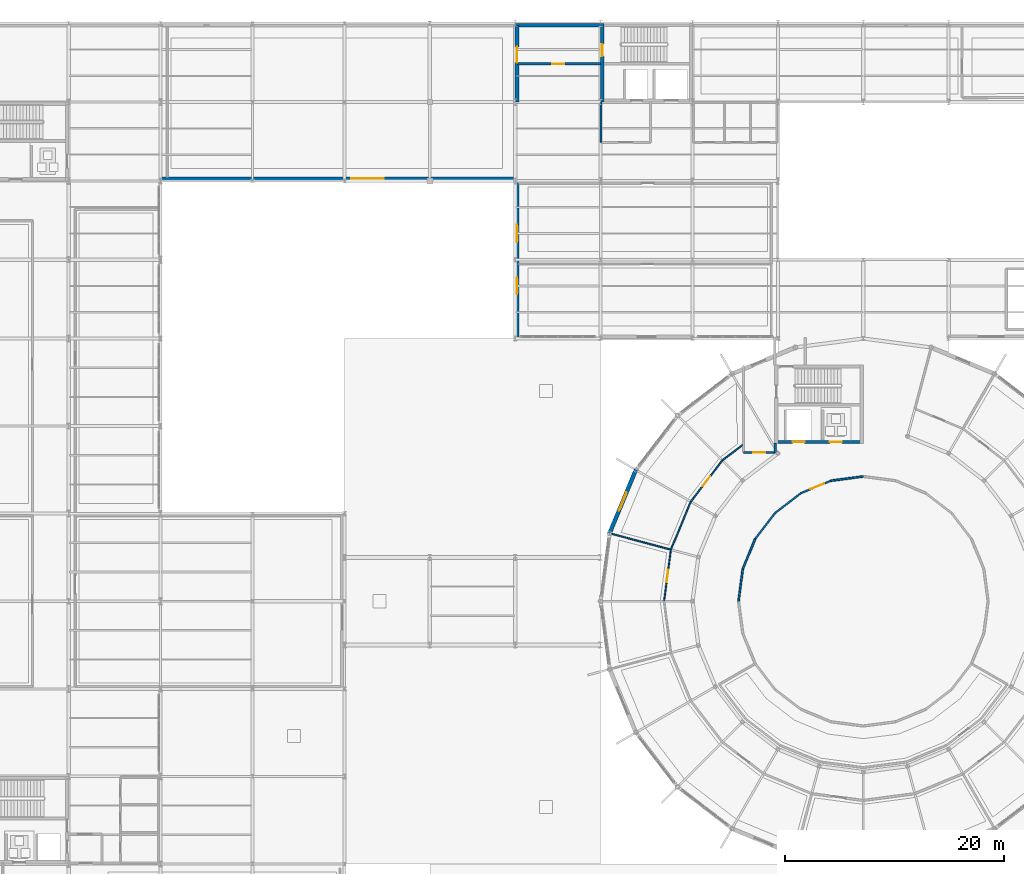
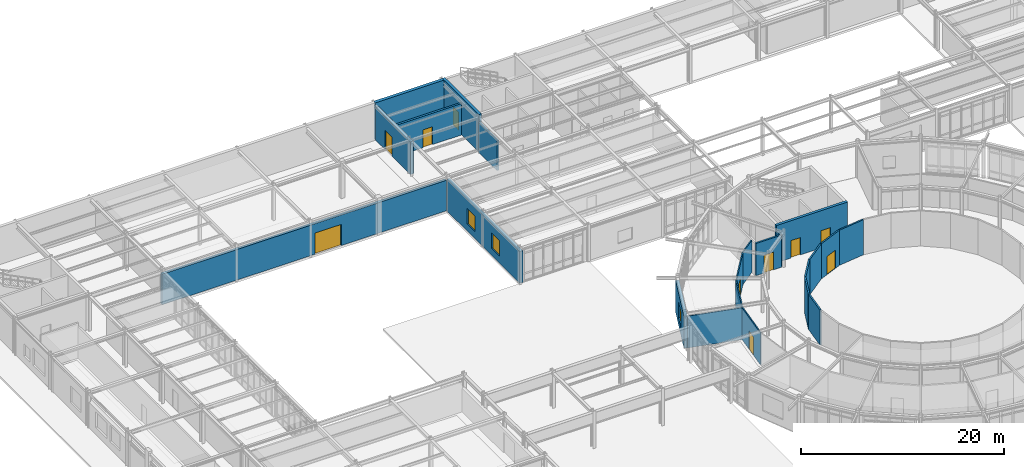
# One storey, part 84 of 101: 22 walls, 10 doors, 3 windows, 13 openings.
"""IFC4 building model written with IfcOpenShell, lengths in metres."""

from ifc_helpers import new_model, si_unit, derived_unit, direction, frame, frame_2d, origin, place, context, subcontext, project, spatial, rectangle, extrude, material, layer, layer_set, type_object, element, fill, save


model = new_model("IFC4")

# Units and contexts
model_context = context("Model", 3, precision=1e-05, world=origin(), true_north=direction((0.0, 1.0)))
body_context = subcontext(model_context, "Body", "Model", "MODEL_VIEW")
ifc_project = project(units=[si_unit("LENGTHUNIT", "METRE"), si_unit("AREAUNIT", "SQUARE_METRE"), si_unit("VOLUMEUNIT", "CUBIC_METRE"), si_unit("PLANEANGLEUNIT", "RADIAN"), si_unit("MASSUNIT", "GRAM", prefix="KILO"), derived_unit("THERMALTRANSMITTANCEUNIT", [(si_unit("POWERUNIT", "WATT"), 1), (si_unit("AREAUNIT", "SQUARE_METRE"), -1), (si_unit("THERMODYNAMICTEMPERATUREUNIT", "KELVIN"), -1)])], contexts=[model_context])

# Site, building, storey
site_placement = place(None, origin())
site = spatial("IfcSite", under=ifc_project, at=site_placement, CompositionType="ELEMENT")
building_placement = place(site_placement, origin())
building = spatial("IfcBuilding", under=site, at=building_placement, Name="Yasenodar Specialist Clinic", CompositionType="ELEMENT")
storey_placement = place(building_placement, origin())
storey = spatial("IfcBuildingStorey", under=building, at=storey_placement, Name="L00", CompositionType="ELEMENT", Elevation=0.0)

# Wall, opening, window
ifc_material_1 = material(Name="Drum Insulated Terracotta Chord Wall", Category="masonry")
ifc_layer_1 = layer(ifc_material_1, 0.364990234375)
ifc_layer_set_1 = layer_set([ifc_layer_1], Name="Drum Insulated Terracotta Chord Wall")
wall_type_1 = type_object("IfcWallType", Name="EW-DRUM-365", PredefinedType="SOLIDWALL", material=ifc_layer_set_1)
wall_1_placement = place(storey_placement, frame((57.81787109375, 65.01171875, 0.0), z_axis=(0.0, 0.0, 1.0), x_axis=(0.382663829839, 0.9238876519, 0.0)))
wall_1 = element("IfcWall", 1, at=wall_1_placement, inside=storey, type_object=wall_type_1, Name="L00 Exterior Facade Wall 0004", PredefinedType="SOLIDWALL", context=body_context, shape_type="SweptSolid", body=[
    extrude(rectangle(XDim=6.26513671875, YDim=0.364990234375, at=frame_2d((3.132568359375, 0.0))), origin(), (0.0, 0.0, 1.0), 3.837890625),
])
opening_1_placement = place(wall_1_placement, frame((2.232666015625, 0.0, 0.85009765625)))
opening_1 = element("IfcOpeningElement", 2, at=opening_1_placement, cuts=wall_1, Name="Opening W-05", PredefinedType="OPENING", context=body_context, shape_type="SweptSolid", body=[
    extrude(rectangle(XDim=1.800048828125, YDim=1.949951171875, at=frame_2d((0.89990234375, 0.97509765625))), frame((0.0, 0.1923828125, 0.0), z_axis=(0.0, -1.0, 0.0), x_axis=(1.0, 0.0, 0.0)), (0.0, 0.0, 1.0), 0.385009765625),
])
ifc_material_2 = material(Name="Triple Low-E Argon Glazing in Bronze Aluminium Frame", Category="aluminium")
window_type_1 = type_object("IfcWindowType", Name="WIN-EXT-05", PartitioningType="SINGLE_PANEL", PredefinedType="WINDOW", material=ifc_material_2)
window_1_placement = place(opening_1_placement, origin())
window_1 = element("IfcWindow", 3, at=window_1_placement, inside=storey, type_object=window_type_1, Name="L00 Triple-Glazed Reveal Window 0003", OverallHeight=1.949951171875, OverallWidth=1.800048828125, PartitioningType="SINGLE_PANEL", PredefinedType="WINDOW", context=body_context, shape_type="SweptSolid", body=[
    extrude(rectangle(XDim=1.800048828125, YDim=1.949951171875, at=frame_2d((0.89990234375, 0.97509765625))), frame((0.0, 0.030029296875, 0.0), z_axis=(0.0, -1.0, 0.0), x_axis=(1.0, 0.0, 0.0)), (0.0, 0.0, 1.0), 0.06005859375),
])
fill(opening_1, window_1)

# Wall, opening, door
ifc_material_3 = material(Name="Fluted Terracotta Spandrel Wall", Category="masonry")
ifc_layer_2 = layer(ifc_material_3, 0.31494140625)
ifc_layer_set_2 = layer_set([ifc_layer_2], Name="Fluted Terracotta Spandrel Wall")
wall_type_2 = type_object("IfcWallType", Name="EW-TERR-315", PredefinedType="SOLIDWALL", material=ifc_layer_set_2)
wall_2_placement = place(storey_placement, frame((49.199951171875, 97.39990234375, 0.0), z_axis=(0.0, 0.0, 1.0), x_axis=(-1.0, 0.0, 0.0)))
wall_2 = element("IfcWall", 4, at=wall_2_placement, inside=storey, type_object=wall_type_2, Name="L00 Exterior Facade Wall 0089", PredefinedType="SOLIDWALL", context=body_context, shape_type="SweptSolid", body=[
    extrude(rectangle(XDim=32.39990234375, YDim=0.31494140625, at=frame_2d((16.199951171875, 0.0))), origin(), (0.0, 0.0, 1.0), 3.677978515625),
])
opening_2_placement = place(wall_2_placement, frame((12.0, 0.0, 0.0)))
opening_2 = element("IfcOpeningElement", 5, at=opening_2_placement, cuts=wall_2, Name="Opening GT-02", PredefinedType="OPENING", context=body_context, shape_type="SweptSolid", body=[
    extrude(rectangle(XDim=3.0, YDim=2.550048828125, at=frame_2d((1.5, 1.27490234375))), frame((0.0, 0.16748046875, 0.0), z_axis=(0.0, -1.0, 0.0), x_axis=(1.0, 0.0, 0.0)), (0.0, 0.0, 1.0), 0.3349609375),
])
ifc_material_4 = material(Name="Thermally Broken Bronze Anodized Aluminium and Laminated Glass", Category="aluminium")
door_type_1 = type_object("IfcDoorType", Name="GT-SERV-300", OperationType="DOUBLE_DOOR_SINGLE_SWING", PredefinedType="GATE", material=ifc_material_4)
door_1_placement = place(opening_2_placement, origin())
door_1 = element("IfcDoor", 6, at=door_1_placement, inside=storey, type_object=door_type_1, Name="L00 Forecourt Courtyard Access Gate GT-02", OperationType="DOUBLE_DOOR_SINGLE_SWING", OverallHeight=2.550048828125, OverallWidth=3.0, PredefinedType="GATE", context=body_context, shape_type="SweptSolid", body=[
    extrude(rectangle(XDim=3.0, YDim=2.550048828125, at=frame_2d((1.5, 1.27490234375))), frame((0.0, 0.02490234375, 0.0), z_axis=(0.0, -1.0, 0.0), x_axis=(1.0, 0.0, 0.0)), (0.0, 0.0, 1.0), 0.050048828125),
])
fill(opening_2, door_1)

# Wall, openings, windows
ifc_material_5 = material(Name="Buff Architectural Terracotta Rainscreen", Category="masonry")
ifc_layer_3 = layer(ifc_material_5, 0.340087890625)
ifc_layer_set_3 = layer_set([ifc_layer_3], Name="Buff Architectural Terracotta Rainscreen")
wall_type_3 = type_object("IfcWallType", Name="EW-TERR-340", PredefinedType="SOLIDWALL", material=ifc_layer_set_3)
wall_3_placement = place(storey_placement, frame((49.3701171875, 82.800048828125, 0.0), z_axis=(0.0, 0.0, 1.0), x_axis=(0.0, 1.0, 0.0)))
wall_3 = element("IfcWall", 7, at=wall_3_placement, inside=storey, type_object=wall_type_3, Name="L00 Exterior Facade Wall 0156", PredefinedType="SOLIDWALL", context=body_context, shape_type="SweptSolid", body=[
    extrude(rectangle(XDim=14.39990234375, YDim=0.340087890625, at=frame_2d((7.199951171875, 0.0))), origin(), (0.0, 0.0, 1.0), 3.827880859375),
])
opening_3_placement = place(wall_3_placement, frame((4.050048828125, 0.0, 0.85009765625)))
opening_3 = element("IfcOpeningElement", 8, at=opening_3_placement, cuts=wall_3, Name="Opening W-03", PredefinedType="OPENING", context=body_context, shape_type="SweptSolid", body=[
    extrude(rectangle(XDim=1.5, YDim=1.85009765625, at=frame_2d((0.75, 0.925048828125))), frame((0.0, 0.18017578125, 0.0), z_axis=(0.0, -1.0, 0.0), x_axis=(1.0, 0.0, 0.0)), (0.0, 0.0, 1.0), 0.360107421875),
])
opening_4_placement = place(wall_3_placement, frame((8.800048828125, 0.0, 0.85009765625)))
opening_4 = element("IfcOpeningElement", 9, at=opening_4_placement, cuts=wall_3, Name="Opening W-04", PredefinedType="OPENING", context=body_context, shape_type="SweptSolid", body=[
    extrude(rectangle(XDim=1.60009765625, YDim=1.89990234375, at=frame_2d((0.800048828125, 0.949951171875))), frame((0.0, 0.18017578125, 0.0), z_axis=(0.0, -1.0, 0.0), x_axis=(1.0, 0.0, 0.0)), (0.0, 0.0, 1.0), 0.360107421875),
])
window_type_2 = type_object("IfcWindowType", Name="WIN-EXT-03", PartitioningType="SINGLE_PANEL", PredefinedType="WINDOW", material=ifc_material_2)
window_2_placement = place(opening_3_placement, origin())
window_2 = element("IfcWindow", 10, at=window_2_placement, inside=storey, type_object=window_type_2, Name="L00 Triple-Glazed Reveal Window 0170", OverallHeight=1.85009765625, OverallWidth=1.5, PartitioningType="SINGLE_PANEL", PredefinedType="WINDOW", context=body_context, shape_type="SweptSolid", body=[
    extrude(rectangle(XDim=1.5, YDim=1.85009765625, at=frame_2d((0.75, 0.925048828125))), frame((0.0, 0.030029296875, 0.0), z_axis=(0.0, -1.0, 0.0), x_axis=(1.0, 0.0, 0.0)), (0.0, 0.0, 1.0), 0.06005859375),
])
fill(opening_3, window_2)
window_type_3 = type_object("IfcWindowType", Name="WIN-EXT-04", PartitioningType="SINGLE_PANEL", PredefinedType="WINDOW", material=ifc_material_2)
window_3_placement = place(opening_4_placement, origin())
window_3 = element("IfcWindow", 11, at=window_3_placement, inside=storey, type_object=window_type_3, Name="L00 Triple-Glazed Reveal Window 0171", OverallHeight=1.89990234375, OverallWidth=1.60009765625, PartitioningType="SINGLE_PANEL", PredefinedType="WINDOW", context=body_context, shape_type="SweptSolid", body=[
    extrude(rectangle(XDim=1.60009765625, YDim=1.89990234375, at=frame_2d((0.800048828125, 0.949951171875))), frame((0.0, 0.030029296875, 0.0), z_axis=(0.0, -1.0, 0.0), x_axis=(1.0, 0.0, 0.0)), (0.0, 0.0, 1.0), 0.06005859375),
])
fill(opening_4, window_3)

# Wall, opening, door
wall_4_placement = place(storey_placement, frame((49.3701171875, 104.39990234375, 0.0), z_axis=(0.0, 0.0, 1.0), x_axis=(0.0, 1.0, 0.0)))
wall_4 = element("IfcWall", 12, at=wall_4_placement, inside=storey, type_object=wall_type_3, Name="L00 Exterior Facade Wall 0157", PredefinedType="SOLIDWALL", context=body_context, shape_type="SweptSolid", body=[
    extrude(rectangle(XDim=7.0, YDim=0.340087890625, at=frame_2d((3.5, 0.0))), origin(), (0.0, 0.0, 1.0), 3.927978515625),
])
opening_5_placement = place(wall_4_placement, frame((3.60009765625, 0.0, 0.0)))
opening_5 = element("IfcOpeningElement", 13, at=opening_5_placement, cuts=wall_4, Name="Opening EX-02", PredefinedType="OPENING", context=body_context, shape_type="SweptSolid", body=[
    extrude(rectangle(XDim=1.449951171875, YDim=2.300048828125, at=frame_2d((0.72509765625, 1.14990234375))), frame((0.0, 0.18017578125, 0.0), z_axis=(0.0, -1.0, 0.0), x_axis=(1.0, 0.0, 0.0)), (0.0, 0.0, 1.0), 0.360107421875),
])
door_type_2 = type_object("IfcDoorType", Name="DR-EX-145", OperationType="NOTDEFINED", PredefinedType="DOOR", material=ifc_material_4)
door_2_placement = place(opening_5_placement, origin())
door_2 = element("IfcDoor", 14, at=door_2_placement, inside=storey, type_object=door_type_2, Name="L00 Stair ST-04 Protected Passage Final Exit EX-04", OperationType="SINGLE_SWING_LEFT", OverallHeight=2.300048828125, OverallWidth=1.449951171875, PredefinedType="DOOR", context=body_context, shape_type="SweptSolid", body=[
    extrude(rectangle(XDim=1.449951171875, YDim=2.300048828125, at=frame_2d((0.72509765625, 1.14990234375))), frame((0.0, 0.02490234375, 0.0), z_axis=(0.0, -1.0, 0.0), x_axis=(1.0, 0.0, 0.0)), (0.0, 0.0, 1.0), 0.050048828125),
])
fill(opening_5, door_2)

ifc_material_6 = material(Name="Cleanroom Laboratory Partition")
ifc_layer_4 = layer(ifc_material_6, 0.169921875)
ifc_layer_set_4 = layer_set([ifc_layer_4], Name="Cleanroom Laboratory Partition")
wall_type_4 = type_object("IfcWallType", Name="IW-LAB-170", PredefinedType="PARTITIONING", material=ifc_layer_set_4)
wall_5_placement = place(storey_placement, frame((75.300048828125, 68.672607421875, 0.0), z_axis=(0.0, 0.0, 1.0), x_axis=(0.923875853046, 0.38269231526, 0.0)))
wall_5 = element("IfcWall", 15, at=wall_5_placement, inside=storey, type_object=wall_type_4, Name="L00 Central Drum Treatment Reception Hall Partition", PredefinedType="PARTITIONING", context=body_context, shape_type="SweptSolid", body=[
    extrude(rectangle(XDim=2.97607421875, YDim=0.169921875, at=frame_2d((1.488037109375, 0.0))), origin(), (0.0, 0.0, 1.0), 4.22998046875),
])
opening_6_placement = place(wall_5_placement, frame((0.93798828125, 0.0, 0.0)))
opening_6 = element("IfcOpeningElement", 16, at=opening_6_placement, cuts=wall_5, Name="Opening D-11", PredefinedType="OPENING", context=body_context, shape_type="SweptSolid", body=[
    extrude(rectangle(XDim=1.360107421875, YDim=2.199951171875, at=frame_2d((0.68017578125, 1.10009765625))), frame((0.0, 0.094970703125, 0.0), z_axis=(0.0, -1.0, 0.0), x_axis=(1.0, 0.0, 0.0)), (0.0, 0.0, 1.0), 0.18994140625),
])
ifc_material_7 = material(Name="Powder-Coated Steel and Acoustic Laminate Leaf", Category="steel")
door_type_3 = type_object("IfcDoorType", Name="DR-PLT-136", OperationType="NOTDEFINED", PredefinedType="DOOR", material=ifc_material_7)
door_3_placement = place(opening_6_placement, origin())
door_3 = element("IfcDoor", 17, at=door_3_placement, inside=storey, type_object=door_type_3, Name="L00 Central Drum Treatment Reception Hall Door", OperationType="SINGLE_SWING_RIGHT", OverallHeight=2.199951171875, OverallWidth=1.360107421875, PredefinedType="DOOR", context=body_context, shape_type="SweptSolid", body=[
    extrude(rectangle(XDim=1.360107421875, YDim=2.199951171875, at=frame_2d((0.68017578125, 1.10009765625))), frame((0.0, 0.02490234375, 0.0), z_axis=(0.0, -1.0, 0.0), x_axis=(1.0, 0.0, 0.0)), (0.0, 0.0, 1.0), 0.050048828125),
])
fill(opening_6, door_3)

# Walls
wall_6_placement = place(storey_placement, frame((78.049560546875, 69.8115234375, 0.0), z_axis=(0.0, 0.0, 1.0), x_axis=(0.991445078306, 0.130524544442, 0.0)))
element("IfcWall", 18, at=wall_6_placement, inside=storey, type_object=wall_type_4, Name="L00 Central Drum Treatment Reception Hall Partition", PredefinedType="PARTITIONING", context=body_context, shape_type="SweptSolid", body=[
    extrude(rectangle(XDim=2.975830078125, YDim=0.169921875, at=frame_2d((1.48779296875, 0.0))), origin(), (0.0, 0.0, 1.0), 4.22998046875),
])
for number, where, z_axis, x_axis, name in (
    (19, (71.127197265625, 64.5, 0.0), (0.0, 0.0, 1.0), (0.608770758953, 0.793346181086, 0.0), "L00 Central Drum Treatment Reception Hall Partition"),
    (20, (72.93896484375, 66.861083984375, 0.0), (0.0, 0.0, 1.0), (0.793385800782, 0.608719123338, 0.0), "L00 Central Drum Treatment Reception Hall Partition"),
    (21, (69.98828125, 61.75048828125, 0.0), (0.0, 0.0, 1.0), (0.38269231526, 0.923875853046, 0.0), "L00 Central Drum Treatment Reception Hall Partition"),
):
    element("IfcWall", number, at=place(storey_placement, frame(where, z_axis=z_axis, x_axis=x_axis)), inside=storey, type_object=wall_type_4, Name=name, PredefinedType="PARTITIONING", context=body_context, shape_type="SweptSolid", body=[
        extrude(rectangle(XDim=2.97607421875, YDim=0.169921875, at=frame_2d((1.488037109375, 0.0))), origin(), (0.0, 0.0, 1.0), 4.22998046875),
    ])
wall_7_placement = place(storey_placement, frame((69.60009765625, 58.800048828125, 0.0), z_axis=(0.0, 0.0, 1.0), x_axis=(0.130443901511, 0.991455691677, 0.0)))
element("IfcWall", 22, at=wall_7_placement, inside=storey, type_object=wall_type_4, Name="L00 Central Drum Treatment Reception Hall Partition", PredefinedType="PARTITIONING", context=body_context, shape_type="SweptSolid", body=[
    extrude(rectangle(XDim=2.975830078125, YDim=0.169921875, at=frame_2d((1.48779296875, 0.0))), origin(), (0.0, 0.0, 1.0), 4.22998046875),
])
ifc_material_8 = material(Name="Fire-Rated Gypsum and Mineral-Wool Wall")
ifc_layer_5 = layer(ifc_material_8, 0.195068359375)
ifc_layer_set_5 = layer_set([ifc_layer_5], Name="Fire-Rated Gypsum and Mineral-Wool Wall")
wall_type_5 = type_object("IfcWallType", Name="IW-LOBBY-195", PredefinedType="PARTITIONING", material=ifc_layer_set_5)
wall_8_placement = place(storey_placement, frame((57.050048828125, 100.699951171875, 0.0), z_axis=(0.0, 0.0, 1.0), x_axis=(0.0, 1.0, 0.0)))
element("IfcWall", 23, at=wall_8_placement, inside=storey, type_object=wall_type_5, Name="L00 C4 Firefighting Lobby West Wall", PredefinedType="PARTITIONING", context=body_context, shape_type="SweptSolid", body=[
    extrude(rectangle(XDim=3.699951171875, YDim=0.195068359375, at=frame_2d((1.85009765625, 0.0))), origin(), (0.0, 0.0, 1.0), 3.6279296875),
])

# Wall, opening, door
wall_9_placement = place(storey_placement, frame((70.050048828125, 72.39990234375, 0.0), z_axis=(0.0, 0.0, 1.0), x_axis=(1.0, 0.0, 0.0)))
wall_9 = element("IfcWall", 24, at=wall_9_placement, inside=storey, type_object=wall_type_5, Name="L00 C3 Stair Vestibule South Wall", PredefinedType="PARTITIONING", context=body_context, shape_type="SweptSolid", body=[
    extrude(rectangle(XDim=2.89990234375, YDim=0.195068359375, at=frame_2d((1.449951171875, 0.0))), origin(), (0.0, 0.0, 1.0), 3.867919921875),
])
opening_7_placement = place(wall_9_placement, frame((0.89990234375, 0.0, 0.0)))
opening_7 = element("IfcOpeningElement", 25, at=opening_7_placement, cuts=wall_9, Name="Opening FD-01", PredefinedType="OPENING", context=body_context, shape_type="SweptSolid", body=[
    extrude(rectangle(XDim=1.10009765625, YDim=2.14990234375, at=frame_2d((0.550048828125, 1.074951171875))), frame((0.0, 0.107421875, 0.0), z_axis=(0.0, -1.0, 0.0), x_axis=(1.0, 0.0, 0.0)), (0.0, 0.0, 1.0), 0.215087890625),
])
ifc_material_9 = material(Name="Fire-Rated Insulated Steel Door", Category="steel")
door_type_4 = type_object("IfcDoorType", Name="DR-FD-110", OperationType="NOTDEFINED", PredefinedType="DOOR", material=ifc_material_9)
door_4_placement = place(opening_7_placement, origin())
door_4 = element("IfcDoor", 26, at=door_4_placement, inside=storey, type_object=door_type_4, Name="L00 Stair ST-03 Ring Corridor Vestibule Door", OperationType="SINGLE_SWING_RIGHT", OverallHeight=2.14990234375, OverallWidth=1.10009765625, PredefinedType="DOOR", context=body_context, shape_type="SweptSolid", body=[
    extrude(rectangle(XDim=1.10009765625, YDim=2.14990234375, at=frame_2d((0.550048828125, 1.074951171875))), frame((0.0, 0.02490234375, 0.0), z_axis=(0.0, -1.0, 0.0), x_axis=(1.0, 0.0, 0.0)), (0.0, 0.0, 1.0), 0.050048828125),
])
fill(opening_7, door_4)

# Wall
wall_10_placement = place(storey_placement, frame((72.949951171875, 72.39990234375, 0.0), z_axis=(0.0, 0.0, 1.0), x_axis=(0.0, 1.0, 0.0)))
element("IfcWall", 27, at=wall_10_placement, inside=storey, type_object=wall_type_5, Name="L00 C3 Stair Vestibule Corner Return Wall", PredefinedType="PARTITIONING", context=body_context, shape_type="SweptSolid", body=[
    extrude(rectangle(XDim=0.85009765625, YDim=0.195068359375, at=frame_2d((0.425048828125, 0.0))), origin(), (0.0, 0.0, 1.0), 3.867919921875),
])

# Wall, opening, door
ifc_material_10 = material(Name="Lightweight Counseling Partition")
ifc_layer_6 = layer(ifc_material_10, 0.114990234375)
ifc_layer_set_6 = layer_set([ifc_layer_6], Name="Lightweight Counseling Partition")
wall_type_6 = type_object("IfcWallType", Name="IW-PART-115", PredefinedType="PARTITIONING", material=ifc_layer_set_6)
wall_11_placement = place(storey_placement, frame((63.41748046875, 63.490478515625, 0.0), z_axis=(0.0, 0.0, 1.0), x_axis=(-0.130510579448, -0.991446916709, 0.0)))
wall_11 = element("IfcWall", 28, at=wall_11_placement, inside=storey, type_object=wall_type_6, Name="L00 Drum Patient Waiting Lounge Partition", PredefinedType="PARTITIONING", context=body_context, shape_type="SweptSolid", body=[
    extrude(rectangle(XDim=4.73095703125, YDim=0.114990234375, at=frame_2d((2.365478515625, 0.0))), origin(), (0.0, 0.0, 1.0), 3.867919921875),
])
opening_8_placement = place(wall_11_placement, frame((1.8154296875, 0.0, 0.0)))
opening_8 = element("IfcOpeningElement", 29, at=opening_8_placement, cuts=wall_11, Name="Opening D-06", PredefinedType="OPENING", context=body_context, shape_type="SweptSolid", body=[
    extrude(rectangle(XDim=1.179931640625, YDim=2.199951171875, at=frame_2d((0.58984375, 1.10009765625))), frame((0.0, 0.0673828125, 0.0), z_axis=(0.0, -1.0, 0.0), x_axis=(1.0, 0.0, 0.0)), (0.0, 0.0, 1.0), 0.135009765625),
])
door_type_5 = type_object("IfcDoorType", Name="DR-CLN-118", OperationType="NOTDEFINED", PredefinedType="DOOR", material=ifc_material_7)
door_5_placement = place(opening_8_placement, origin())
door_5 = element("IfcDoor", 30, at=door_5_placement, inside=storey, type_object=door_type_5, Name="L00 Drum Patient Waiting Lounge Door", OperationType="SINGLE_SWING_RIGHT", OverallHeight=2.199951171875, OverallWidth=1.179931640625, PredefinedType="DOOR", context=body_context, shape_type="SweptSolid", body=[
    extrude(rectangle(XDim=1.179931640625, YDim=2.199951171875, at=frame_2d((0.58984375, 1.10009765625))), frame((0.0, 0.02490234375, 0.0), z_axis=(0.0, -1.0, 0.0), x_axis=(1.0, 0.0, 0.0)), (0.0, 0.0, 1.0), 0.050048828125),
])
fill(opening_8, door_5)

ifc_material_11 = material(Name="Clinical Sub-Division Partition")
ifc_layer_7 = layer(ifc_material_11, 0.125)
ifc_layer_set_7 = layer_set([ifc_layer_7], Name="Clinical Sub-Division Partition")
wall_type_7 = type_object("IfcWallType", Name="IW-PART-125", PredefinedType="PARTITIONING", material=ifc_layer_set_7)
wall_12_placement = place(storey_placement, frame((68.130615234375, 71.669189453125, 0.0), z_axis=(0.0, 0.0, 1.0), x_axis=(-0.608769147025, -0.793347417989, 0.0)))
wall_12 = element("IfcWall", 31, at=wall_12_placement, inside=storey, type_object=wall_type_7, Name="L00 Ambulatory Dialysis Treatment Suite A Partition", PredefinedType="PARTITIONING", context=body_context, shape_type="SweptSolid", body=[
    extrude(rectangle(XDim=4.751220703125, YDim=0.125, at=frame_2d((2.37548828125, 0.0))), origin(), (0.0, 0.0, 1.0), 3.867919921875),
])
opening_9_placement = place(wall_12_placement, frame((1.82568359375, 0.0, 0.0)))
opening_9 = element("IfcOpeningElement", 32, at=opening_9_placement, cuts=wall_12, Name="Opening D-05", PredefinedType="OPENING", context=body_context, shape_type="SweptSolid", body=[
    extrude(rectangle(XDim=1.1201171875, YDim=2.179931640625, at=frame_2d((0.56005859375, 1.08984375))), frame((0.0, 0.072509765625, 0.0), z_axis=(0.0, -1.0, 0.0), x_axis=(1.0, 0.0, 0.0)), (0.0, 0.0, 1.0), 0.14501953125),
])
door_type_6 = type_object("IfcDoorType", Name="DR-CLN-112", OperationType="NOTDEFINED", PredefinedType="DOOR", material=ifc_material_7)
door_6_placement = place(opening_9_placement, origin())
door_6 = element("IfcDoor", 33, at=door_6_placement, inside=storey, type_object=door_type_6, Name="L00 Ambulatory Dialysis Treatment Suite A Door", OperationType="SINGLE_SWING_LEFT", OverallHeight=2.179931640625, OverallWidth=1.1201171875, PredefinedType="DOOR", context=body_context, shape_type="SweptSolid", body=[
    extrude(rectangle(XDim=1.1201171875, YDim=2.179931640625, at=frame_2d((0.56005859375, 1.08984375))), frame((0.0, 0.02490234375, 0.0), z_axis=(0.0, -1.0, 0.0), x_axis=(1.0, 0.0, 0.0)), (0.0, 0.0, 1.0), 0.050048828125),
])
fill(opening_9, door_6)

# Walls
wall_13_placement = place(storey_placement, frame((65.23828125, 67.89990234375, 0.0), z_axis=(0.0, 0.0, 1.0), x_axis=(-0.382677044484, -0.923882178432, 0.0)))
element("IfcWall", 34, at=wall_13_placement, inside=storey, type_object=wall_type_7, Name="L00 Ambulatory Dialysis Treatment Suite A Partition", PredefinedType="PARTITIONING", context=body_context, shape_type="SweptSolid", body=[
    extrude(rectangle(XDim=4.7509765625, YDim=0.125, at=frame_2d((2.37548828125, 0.0))), origin(), (0.0, 0.0, 1.0), 3.867919921875),
])
wall_14_placement = place(storey_placement, frame((69.968505859375, 73.079345703125, 0.0), z_axis=(0.0, 0.0, 1.0), x_axis=(-0.7933756116, -0.608732403374, 0.0)))
element("IfcWall", 35, at=wall_14_placement, inside=storey, type_object=wall_type_7, Name="L00 Ambulatory Dialysis Treatment Suite A Partition", PredefinedType="PARTITIONING", context=body_context, shape_type="SweptSolid", body=[
    extrude(rectangle(XDim=2.316650390625, YDim=0.125, at=frame_2d((1.158203125, 0.0))), origin(), (0.0, 0.0, 1.0), 3.867919921875),
])
wall_15_placement = place(storey_placement, frame((63.420166015625, 63.510498046875, 0.0), z_axis=(0.0, 0.0, 1.0), x_axis=(-0.965922914043, 0.258829913508, 0.0)))
element("IfcWall", 36, at=wall_15_placement, inside=storey, type_object=wall_type_7, Name="L00 Ambulatory Dialysis Treatment Suite A Partition", PredefinedType="PARTITIONING", context=body_context, shape_type="SweptSolid", body=[
    extrude(rectangle(XDim=5.635986328125, YDim=0.125, at=frame_2d((2.81787109375, 0.0))), origin(), (0.0, 0.0, 1.0), 3.837890625),
])

# Wall, opening, door
ifc_material_12 = material(Name="Protected Exit Passage Masonry Wall", Category="masonry")
ifc_layer_8 = layer(ifc_material_12, 0.239990234375)
ifc_layer_set_8 = layer_set([ifc_layer_8], Name="Protected Exit Passage Masonry Wall")
wall_type_8 = type_object("IfcWallType", Name="IW-PASS-240", PredefinedType="PARTITIONING", material=ifc_layer_set_8)
wall_16_placement = place(storey_placement, frame((49.39990234375, 107.89990234375, 0.0), z_axis=(0.0, 0.0, 1.0), x_axis=(1.0, 0.0, 0.0)))
wall_16 = element("IfcWall", 37, at=wall_16_placement, inside=storey, type_object=wall_type_8, Name="L00 ST-04 Protected Exit Passage South Wall", PredefinedType="PARTITIONING", context=body_context, shape_type="SweptSolid", body=[
    extrude(rectangle(XDim=7.60009765625, YDim=0.239990234375, at=frame_2d((3.800048828125, 0.0))), origin(), (0.0, 0.0, 1.0), 3.778076171875),
])
opening_10_placement = place(wall_16_placement, frame((3.199951171875, 0.0, 0.0)))
opening_10 = element("IfcOpeningElement", 38, at=opening_10_placement, cuts=wall_16, Name="Opening FD-01", PredefinedType="OPENING", context=body_context, shape_type="SweptSolid", body=[
    extrude(rectangle(XDim=1.10009765625, YDim=2.14990234375, at=frame_2d((0.550048828125, 1.074951171875))), frame((0.0, 0.1298828125, 0.0), z_axis=(0.0, -1.0, 0.0), x_axis=(1.0, 0.0, 0.0)), (0.0, 0.0, 1.0), 0.260009765625),
])
door_7_placement = place(opening_10_placement, origin())
door_7 = element("IfcDoor", 39, at=door_7_placement, inside=storey, type_object=door_type_4, Name="L00 Stair ST-04 Corridor Access Door", OperationType="SINGLE_SWING_LEFT", OverallHeight=2.14990234375, OverallWidth=1.10009765625, PredefinedType="DOOR", context=body_context, shape_type="SweptSolid", body=[
    extrude(rectangle(XDim=1.10009765625, YDim=2.14990234375, at=frame_2d((0.550048828125, 1.074951171875))), frame((0.0, 0.02490234375, 0.0), z_axis=(0.0, -1.0, 0.0), x_axis=(1.0, 0.0, 0.0)), (0.0, 0.0, 1.0), 0.050048828125),
])
fill(opening_10, door_7)

# Wall, openings, doors
ifc_material_13 = material(Name="Concrete C35/45", Category="concrete")
ifc_layer_9 = layer(ifc_material_13, 0.300048828125)
ifc_layer_set_9 = layer_set([ifc_layer_9], Name="Concrete C35/45")
wall_type_9 = type_object("IfcWallType", Name="WL-CORE-300", PredefinedType="SHEAR", material=ifc_layer_set_9)
wall_17_placement = place(storey_placement, frame((72.89990234375, 73.35009765625, 0.0), z_axis=(0.0, 0.0, 1.0), x_axis=(1.0, 0.0, 0.0)))
wall_17 = element("IfcWall", 40, at=wall_17_placement, inside=storey, type_object=wall_type_9, Name="L00 Core C3 South Shear Wall", PredefinedType="SHEAR", context=body_context, shape_type="SweptSolid", body=[
    extrude(rectangle(XDim=8.10009765625, YDim=0.300048828125, at=frame_2d((4.050048828125, 0.0))), origin(), (0.0, 0.0, 1.0), 4.5),
])
opening_11_placement = place(wall_17_placement, frame((1.64990234375, 0.0, 0.0)))
opening_11 = element("IfcOpeningElement", 41, at=opening_11_placement, cuts=wall_17, Name="Opening LD-03", PredefinedType="OPENING", context=body_context, shape_type="SweptSolid", body=[
    extrude(rectangle(XDim=1.10009765625, YDim=2.10009765625, at=frame_2d((0.550048828125, 1.050048828125))), frame((0.0, 0.16015625, 0.0), z_axis=(0.0, -1.0, 0.0), x_axis=(1.0, 0.0, 0.0)), (0.0, 0.0, 1.0), 0.320068359375),
])
opening_12_placement = place(wall_17_placement, frame((5.050048828125, 0.0, 0.0)))
opening_12 = element("IfcOpeningElement", 42, at=opening_12_placement, cuts=wall_17, Name="Opening LD-03", PredefinedType="OPENING", context=body_context, shape_type="SweptSolid", body=[
    extrude(rectangle(XDim=1.10009765625, YDim=2.10009765625, at=frame_2d((0.550048828125, 1.050048828125))), frame((0.0, 0.16015625, 0.0), z_axis=(0.0, -1.0, 0.0), x_axis=(1.0, 0.0, 0.0)), (0.0, 0.0, 1.0), 0.320068359375),
])
door_type_7 = type_object("IfcDoorType", Name="DR-LD-110", OperationType="DOUBLE_DOOR_SLIDING", PredefinedType="DOOR", material=ifc_material_9)
door_8_placement = place(opening_11_placement, origin())
door_8 = element("IfcDoor", 43, at=door_8_placement, inside=storey, type_object=door_type_7, Name="L00 LF-06 Lift Landing Door", OperationType="DOUBLE_DOOR_SLIDING", OverallHeight=2.10009765625, OverallWidth=1.10009765625, PredefinedType="DOOR", context=body_context, shape_type="SweptSolid", body=[
    extrude(rectangle(XDim=1.10009765625, YDim=2.10009765625, at=frame_2d((0.550048828125, 1.050048828125))), frame((0.0, 0.02490234375, 0.0), z_axis=(0.0, -1.0, 0.0), x_axis=(1.0, 0.0, 0.0)), (0.0, 0.0, 1.0), 0.050048828125),
])
fill(opening_11, door_8)
door_9_placement = place(opening_12_placement, origin())
door_9 = element("IfcDoor", 44, at=door_9_placement, inside=storey, type_object=door_type_7, Name="L00 LF-07 Lift Landing Door", OperationType="DOUBLE_DOOR_SLIDING", OverallHeight=2.10009765625, OverallWidth=1.10009765625, PredefinedType="DOOR", context=body_context, shape_type="SweptSolid", body=[
    extrude(rectangle(XDim=1.10009765625, YDim=2.10009765625, at=frame_2d((0.550048828125, 1.050048828125))), frame((0.0, 0.02490234375, 0.0), z_axis=(0.0, -1.0, 0.0), x_axis=(1.0, 0.0, 0.0)), (0.0, 0.0, 1.0), 0.050048828125),
])
fill(opening_12, door_9)

# Wall, opening, door
wall_18_placement = place(storey_placement, frame((57.14990234375, 104.39990234375, 0.0), z_axis=(0.0, 0.0, 1.0), x_axis=(0.0, 1.0, 0.0)))
wall_18 = element("IfcWall", 45, at=wall_18_placement, inside=storey, type_object=wall_type_9, Name="L00 Core C4 West Shear Wall", PredefinedType="SHEAR", context=body_context, shape_type="SweptSolid", body=[
    extrude(rectangle(XDim=7.2001953125, YDim=0.300048828125, at=frame_2d((3.60009765625, 0.0))), origin(), (0.0, 0.0, 1.0), 4.5),
])
opening_13_placement = place(wall_18_placement, frame((4.199951171875, 0.0, 0.0)))
opening_13 = element("IfcOpeningElement", 46, at=opening_13_placement, cuts=wall_18, Name="Opening FD-01", PredefinedType="OPENING", context=body_context, shape_type="SweptSolid", body=[
    extrude(rectangle(XDim=1.10009765625, YDim=2.14990234375, at=frame_2d((0.550048828125, 1.074951171875))), frame((0.0, 0.16015625, 0.0), z_axis=(0.0, -1.0, 0.0), x_axis=(1.0, 0.0, 0.0)), (0.0, 0.0, 1.0), 0.320068359375),
])
door_10_placement = place(opening_13_placement, origin())
door_10 = element("IfcDoor", 47, at=door_10_placement, inside=storey, type_object=door_type_4, Name="L00 ST-04 Protected Stair Door", OperationType="SINGLE_SWING_LEFT", OverallHeight=2.14990234375, OverallWidth=1.10009765625, PredefinedType="DOOR", context=body_context, shape_type="SweptSolid", body=[
    extrude(rectangle(XDim=1.10009765625, YDim=2.14990234375, at=frame_2d((0.550048828125, 1.074951171875))), frame((0.0, 0.02490234375, 0.0), z_axis=(0.0, -1.0, 0.0), x_axis=(1.0, 0.0, 0.0)), (0.0, 0.0, 1.0), 0.050048828125),
])
fill(opening_13, door_10)

# Wall
ifc_layer_10 = layer(ifc_material_13, 0.35009765625)
ifc_layer_set_10 = layer_set([ifc_layer_10], Name="Concrete C35/45")
wall_type_10 = type_object("IfcWallType", Name="WL-PARTY-350", PredefinedType="SHEAR", material=ifc_layer_set_10)
wall_19_placement = place(storey_placement, frame((49.199951171875, 111.425048828125, 0.0), z_axis=(0.0, 0.0, 1.0), x_axis=(1.0, 0.0, 0.0)))
element("IfcWall", 48, at=wall_19_placement, inside=storey, type_object=wall_type_10, Name="L00 Northern Party Wall Segment 2", PredefinedType="SHEAR", context=body_context, shape_type="SweptSolid", body=[
    extrude(rectangle(XDim=7.800048828125, YDim=0.35009765625, at=frame_2d((3.89990234375, 0.0))), origin(), (0.0, 0.0, 1.0), 4.5),
])

save(model, "model.ifc")
